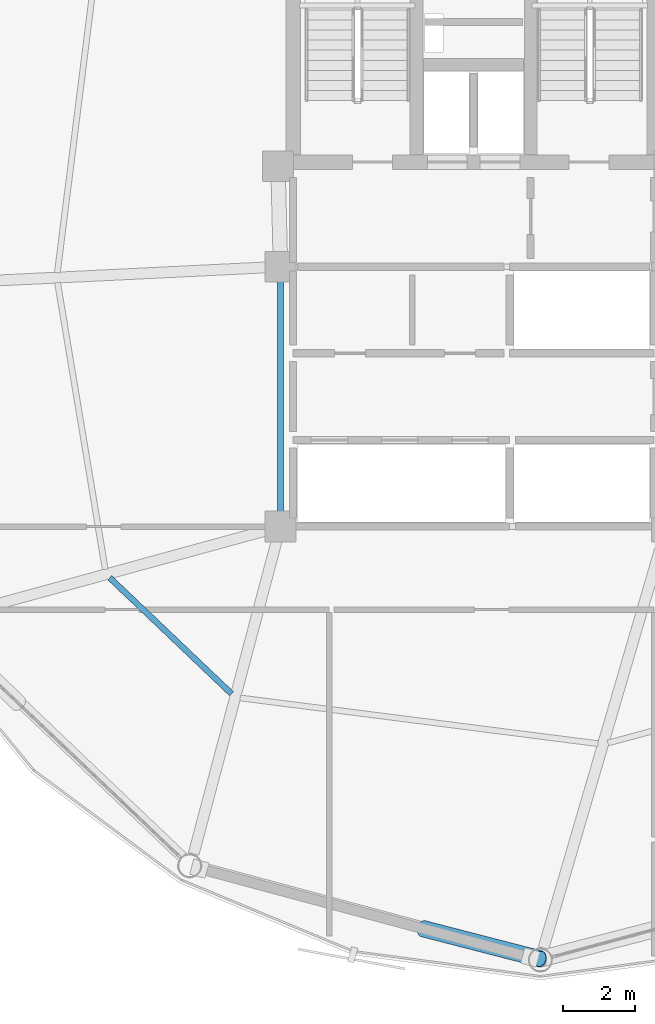
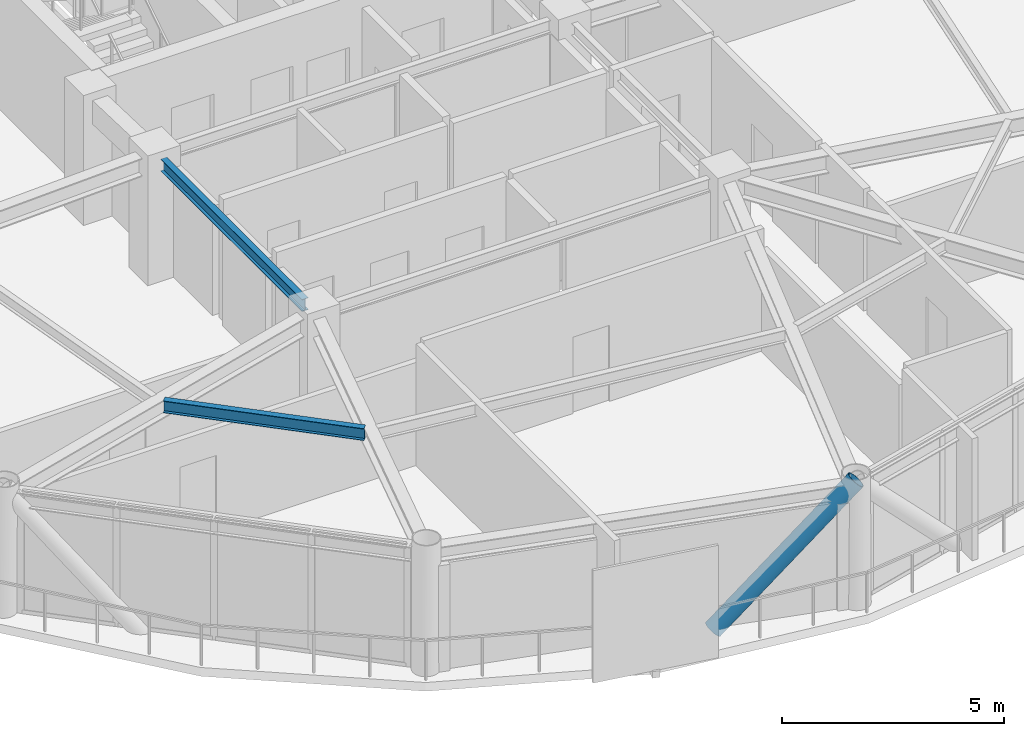
# One storey, part 7 of 29: 2 beams, 1 member.
"""IFC4 building model written with IfcOpenShell, lengths in metres."""

from ifc_helpers import new_model, si_unit, direction, frame, origin, origin_2d, place, context, subcontext, project, spatial, hollow_circle, i_section, extrude, material, material_profile, profile_set, type_object, element, save


model = new_model("IFC4")

# Units and contexts
model_context = context("Model", 3, precision=1e-05, world=origin(), true_north=direction((0.0, 1.0)))
body_context = subcontext(model_context, "Body", "Model", "MODEL_VIEW")
ifc_project = project(units=[si_unit("LENGTHUNIT", "METRE"), si_unit("AREAUNIT", "SQUARE_METRE"), si_unit("VOLUMEUNIT", "CUBIC_METRE"), si_unit("PLANEANGLEUNIT", "RADIAN"), si_unit("MASSUNIT", "GRAM", prefix="KILO")], contexts=[model_context])

# Site, building, storey
site_placement = place(None, origin())
site = spatial("IfcSite", under=ifc_project, at=site_placement, CompositionType="ELEMENT")
building_placement = place(site_placement, origin())
building = spatial("IfcBuilding", under=site, at=building_placement, Name="Varnakorn Sky Granary", CompositionType="ELEMENT")
storey_placement = place(building_placement, frame((0.0, 0.0, 189.60009765625)))
storey = spatial("IfcBuildingStorey", under=building, at=storey_placement, Name="L47", CompositionType="ELEMENT", Elevation=189.60009765625)

# Beams
ifc_material_1 = material(Name="Steel S355JR", Category="steel")
ifc_material_profile_1 = material_profile(ifc_material_1, i_section(OverallWidth=0.159912109375, OverallDepth=0.330078125, WebThickness=0.007568359375, FlangeThickness=0.011474609375, at=origin_2d()), Name="IPE 330")
ifc_profile_set_1 = profile_set([ifc_material_profile_1], Name="Steel S355JR")
beam_type = type_object("IfcBeamType", Name="BM-SEC-Z4", PredefinedType="BEAM", material=ifc_profile_set_1)
beam_1_placement = place(storey_placement, frame((-7.08203125, -8.02001953125, 3.19482421875), z_axis=(0.724155370087, -0.689636860945, 0.0), x_axis=(0.689636860945, 0.724155370087, 0.0)))
element("IfcBeam", 1, at=beam_1_placement, inside=storey, type_object=beam_type, Name="Secondary Floor Chord Beam MSB08 L47", PredefinedType="BEAM", context=body_context, shape_type="SweptSolid", body=[
    extrude(i_section(OverallWidth=0.159912109375, OverallDepth=0.330078125, WebThickness=0.007568359375, FlangeThickness=0.011474609375, at=origin_2d()), origin(), (0.0, 0.0, 1.0), 4.660888671875),
])
beam_2_placement = place(storey_placement, frame((-2.35009765625, 0.195068359375, 3.19482421875), z_axis=(0.0, -1.0, 0.0), x_axis=(1.0, 0.0, 0.0)))
element("IfcBeam", 2, at=beam_2_placement, inside=storey, type_object=beam_type, Name="Core Spine Framing Beam 3 L47", PredefinedType="BEAM", context=body_context, shape_type="SweptSolid", body=[
    extrude(i_section(OverallWidth=0.159912109375, OverallDepth=0.330078125, WebThickness=0.007568359375, FlangeThickness=0.011474609375, at=origin_2d()), origin(), (0.0, 0.0, 1.0), 6.39013671875),
])

# Member
ifc_material_2 = material(Name="Steel S460M", Category="steel")
ifc_material_profile_2 = material_profile(ifc_material_2, hollow_circle(Radius=0.228515625, WallThickness=0.01611328125, at=origin_2d()), Name="CHS 457x16")
ifc_profile_set_2 = profile_set([ifc_material_profile_2], Name="Steel S460M")
member_type = type_object("IfcMemberType", Name="MB-DIAG-T3", PredefinedType="BRACE", material=ifc_profile_set_2)
member_placement = place(storey_placement, frame((1.609375, -17.74462890625, -0.130126953125), z_axis=(0.670195874207, -0.172976575639, 0.721745519194), x_axis=(0.249908904793, 0.968269352662, 0.0)))
element("IfcMember", 3, at=member_placement, inside=storey, type_object=member_type, Name="Perimeter CHS Diagrid Brace DG09 L47", PredefinedType="BRACE", context=body_context, shape_type="SweptSolid", body=[
    extrude(hollow_circle(Radius=0.228515625, WallThickness=0.01611328125, at=origin_2d()), origin(), (0.0, 0.0, 1.0), 4.83544921875),
])

save(model, "model.ifc")
